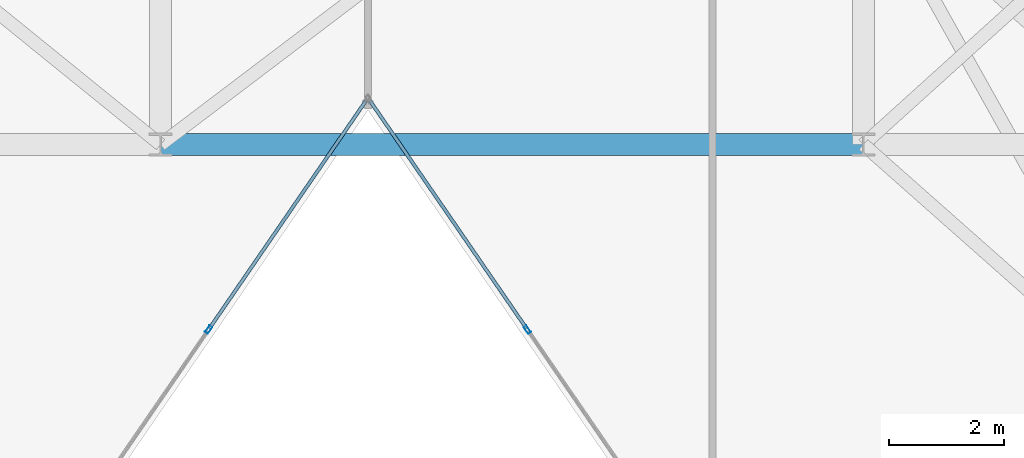
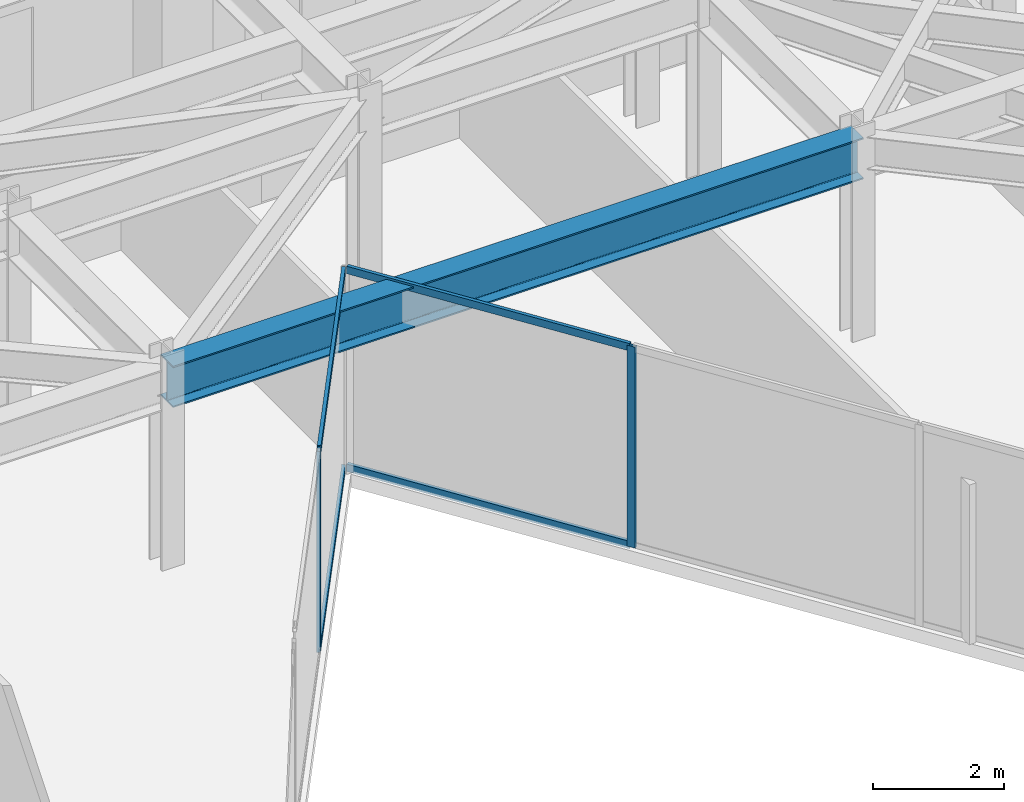
# One storey, part 8 of 26: 6 members, 1 beam, 2 elements without a shape of their own.
"""IFC4 building model written with IfcOpenShell, lengths in metres."""

from ifc_helpers import new_model, si_unit, direction, frame, origin, origin_2d, place, context, subcontext, project, spatial, hollow_rectangle, i_section, extrude, material, layer, layer_set, material_profile, profile_set, type_object, element, aggregate, save


model = new_model("IFC4")

# Units and contexts
model_context = context("Model", 3, precision=1e-05, world=origin(), true_north=direction((0.0, 1.0)))
body_context = subcontext(model_context, "Body", "Model", "MODEL_VIEW")
ifc_project = project(units=[si_unit("LENGTHUNIT", "METRE"), si_unit("AREAUNIT", "SQUARE_METRE"), si_unit("VOLUMEUNIT", "CUBIC_METRE"), si_unit("PLANEANGLEUNIT", "RADIAN"), si_unit("MASSUNIT", "GRAM", prefix="KILO")], contexts=[model_context])

# Site, building, storey
site_placement = place(None, origin())
site = spatial("IfcSite", under=ifc_project, at=site_placement, CompositionType="ELEMENT")
building_placement = place(site_placement, origin())
building = spatial("IfcBuilding", under=site, at=building_placement, Name="Kravanh Interchange Tower", CompositionType="ELEMENT")
storey_placement = place(building_placement, frame((0.0, 0.0, 212.5)))
storey = spatial("IfcBuildingStorey", under=building, at=storey_placement, Name="L51", CompositionType="ELEMENT", Elevation=212.5)

# Curtain wall, member
ifc_material_1 = material(Name="Anodised Bronze Aluminium", Category="aluminium")
ifc_layer = layer(ifc_material_1, 0.179931640625)
ifc_layer_set = layer_set([ifc_layer], Name="Unitised Curtain Wall System CW-Z3 Upper Office")
curtain_wall_type = type_object("IfcCurtainWallType", Name="Unitised Curtain Wall System CW-Z3 Upper Office", PredefinedType="NOTDEFINED", material=ifc_layer_set)
curtain_wall_1_placement = place(storey_placement, origin())
curtain_wall_1 = element("IfcCurtainWall", 1, at=curtain_wall_1_placement, inside=storey, type_object=curtain_wall_type, Name="L51 Unitised Curtain Wall CW-L51-04", PredefinedType="NOTDEFINED")
ifc_material_2 = material(Name="Anodised Bronze Aluminium", Category="aluminium")
ifc_material_profile_1 = material_profile(ifc_material_2, hollow_rectangle(XDim=0.06005859375, YDim=0.139892578125, WallThickness=0.00390625, at=origin_2d()), Name="ALU60X140X4")
ifc_profile_set_1 = profile_set([ifc_material_profile_1], Name="Anodised Bronze Aluminium")
member_type_1 = type_object("IfcMemberType", Name="Curtain Wall Mullion ALU60X140X4 Bronze", PredefinedType="MULLION", material=ifc_profile_set_1)
member_1_placement = place(storey_placement, frame((44.9658203125, 23.5888671875, 0.0), z_axis=(0.0, 0.0, 1.0), x_axis=(-0.824042223035, -0.566528388217, 0.0)))
member_1 = element("IfcMember", 2, at=member_1_placement, type_object=member_type_1, Name="CW-Z3 mullion 4", PredefinedType="MULLION", context=body_context, shape_type="SweptSolid", body=[
    extrude(hollow_rectangle(XDim=0.06005859375, YDim=0.139892578125, WallThickness=0.00390625, at=origin_2d()), origin(), (0.0, 0.0, 1.0), 3.7548828125),
])

curtain_wall_2_placement = place(storey_placement, origin())
curtain_wall_2 = element("IfcCurtainWall", 3, at=curtain_wall_2_placement, inside=storey, type_object=curtain_wall_type, Name="L51 Unitised Curtain Wall CW-L51-05", PredefinedType="NOTDEFINED")
member_2_placement = place(storey_placement, frame((39.434326171875, 23.5888671875, 0.0), z_axis=(0.0, 0.0, 1.0), x_axis=(0.824042223035, -0.566528388217, 0.0)))
member_2 = element("IfcMember", 4, at=member_2_placement, type_object=member_type_1, Name="CW-Z3 mullion 2", PredefinedType="MULLION", context=body_context, shape_type="SweptSolid", body=[
    extrude(hollow_rectangle(XDim=0.06005859375, YDim=0.139892578125, WallThickness=0.00390625, at=origin_2d()), origin(), (0.0, 0.0, 1.0), 3.7548828125),
])

# Member
ifc_material_3 = material(Name="Anodised Bronze Aluminium", Category="aluminium")
ifc_material_profile_2 = material_profile(ifc_material_3, hollow_rectangle(XDim=0.06005859375, YDim=0.139892578125, WallThickness=0.00390625, at=origin_2d()), Name="ALU60X140X4")
ifc_profile_set_2 = profile_set([ifc_material_profile_2], Name="Anodised Bronze Aluminium")
member_type_2 = type_object("IfcMemberType", Name="Curtain Wall Transom ALU60X140X4 Bronze", PredefinedType="USERDEFINED", material=ifc_profile_set_2)
member_3_placement = place(storey_placement, frame((44.94873046875, 23.613525390625, 0.030029296875), z_axis=(-0.566541796314, 0.824033004818, 0.0), x_axis=(-0.824033004818, -0.566541796314, 0.0)))
member_3 = element("IfcMember", 5, at=member_3_placement, type_object=member_type_2, Name="CW-Z3 transom 4.1", ObjectType="TRANSOM", PredefinedType="USERDEFINED", context=body_context, shape_type="SweptSolid", body=[
    extrude(hollow_rectangle(XDim=0.06005859375, YDim=0.139892578125, WallThickness=0.00390625, at=origin_2d()), origin(), (0.0, 0.0, 1.0), 4.7919921875),
])

member_4_placement = place(storey_placement, frame((44.94873046875, 23.613525390625, 3.72509765625), z_axis=(-0.566541796314, 0.824033004818, 0.0), x_axis=(-0.824033004818, -0.566541796314, 0.0)))
member_4 = element("IfcMember", 6, at=member_4_placement, type_object=member_type_2, Name="CW-Z3 transom 4.2", ObjectType="TRANSOM", PredefinedType="USERDEFINED", context=body_context, shape_type="SweptSolid", body=[
    extrude(hollow_rectangle(XDim=0.06005859375, YDim=0.139892578125, WallThickness=0.00390625, at=origin_2d()), origin(), (0.0, 0.0, 1.0), 4.7919921875),
])

aggregate(curtain_wall_1, [member_1, member_3, member_4])

member_5_placement = place(storey_placement, frame((42.166015625, 27.562255859375, 0.030029296875), z_axis=(-0.566541796314, -0.824033004818, 0.0), x_axis=(0.824033004818, -0.566541796314, 0.0)))
member_5 = element("IfcMember", 7, at=member_5_placement, type_object=member_type_2, Name="CW-Z3 transom 1.1", ObjectType="TRANSOM", PredefinedType="USERDEFINED", context=body_context, shape_type="SweptSolid", body=[
    extrude(hollow_rectangle(XDim=0.06005859375, YDim=0.139892578125, WallThickness=0.00390625, at=origin_2d()), origin(), (0.0, 0.0, 1.0), 4.7919921875),
])

member_6_placement = place(storey_placement, frame((42.166015625, 27.562255859375, 3.72509765625), z_axis=(-0.566541796314, -0.824033004818, 0.0), x_axis=(0.824033004818, -0.566541796314, 0.0)))
member_6 = element("IfcMember", 8, at=member_6_placement, type_object=member_type_2, Name="CW-Z3 transom 1.2", ObjectType="TRANSOM", PredefinedType="USERDEFINED", context=body_context, shape_type="SweptSolid", body=[
    extrude(hollow_rectangle(XDim=0.06005859375, YDim=0.139892578125, WallThickness=0.00390625, at=origin_2d()), origin(), (0.0, 0.0, 1.0), 4.7919921875),
])

aggregate(curtain_wall_2, [member_2, member_5, member_6])

# Beam
ifc_material_4 = material(Name="Structural Steel S355", Category="steel")
ifc_material_profile_3 = material_profile(ifc_material_4, i_section(OverallWidth=0.381103515625, OverallDepth=0.77294921875, WebThickness=0.0166015625, FlangeThickness=0.027099609375, FilletRadius=0.02490234375, at=origin_2d()), Name="W30X173")
ifc_profile_set_3 = profile_set([ifc_material_profile_3], Name="Structural Steel S355")
beam_type = type_object("IfcBeamType", Name="Floor Beam W30X173 Structural Steel S355", PredefinedType="BEAM", material=ifc_profile_set_3)
beam_placement = place(storey_placement, frame((38.60009765625, 26.800048828125, 3.368408203125), z_axis=(1.0, 0.0, 0.0), x_axis=(0.0, 1.0, 0.0)))
element("IfcBeam", 9, at=beam_placement, inside=storey, type_object=beam_type, Name="L51 Primary Floor Girder 48", PredefinedType="BEAM", context=body_context, shape_type="SweptSolid", body=[
    extrude(i_section(OverallWidth=0.381103515625, OverallDepth=0.77294921875, WebThickness=0.0166015625, FlangeThickness=0.027099609375, FilletRadius=0.02490234375, at=origin_2d()), origin(), (0.0, 0.0, 1.0), 12.199951171875),
])

save(model, "model.ifc")
